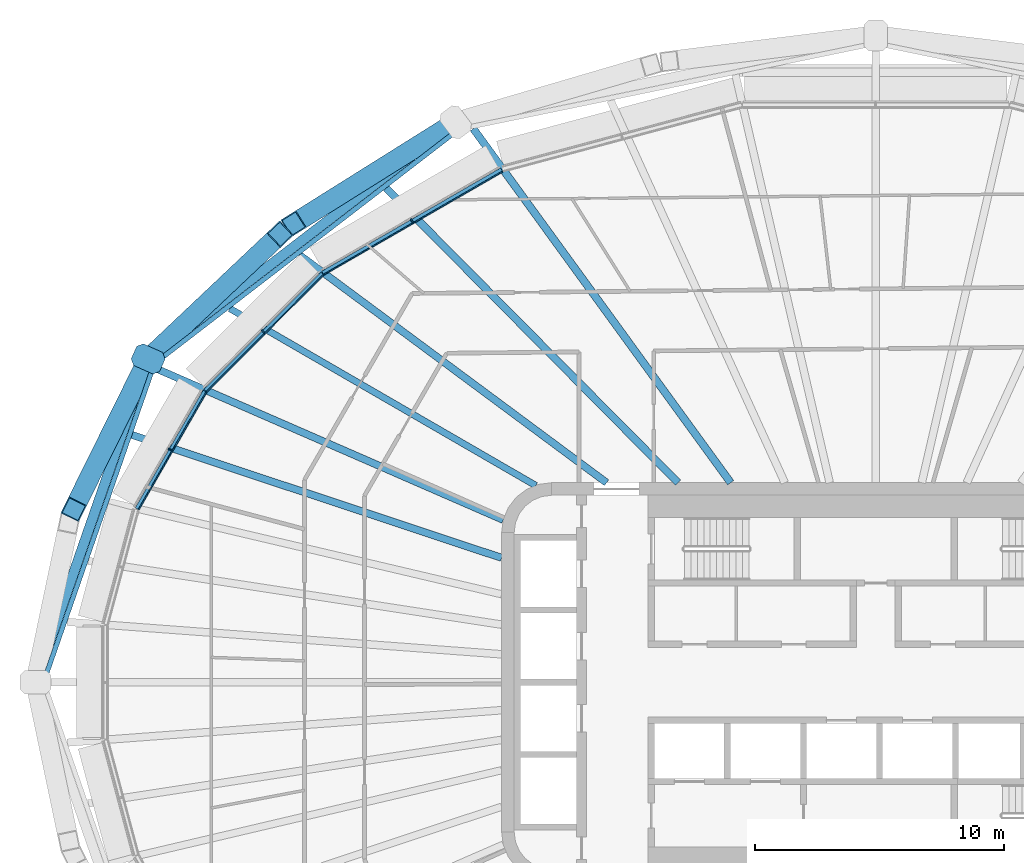
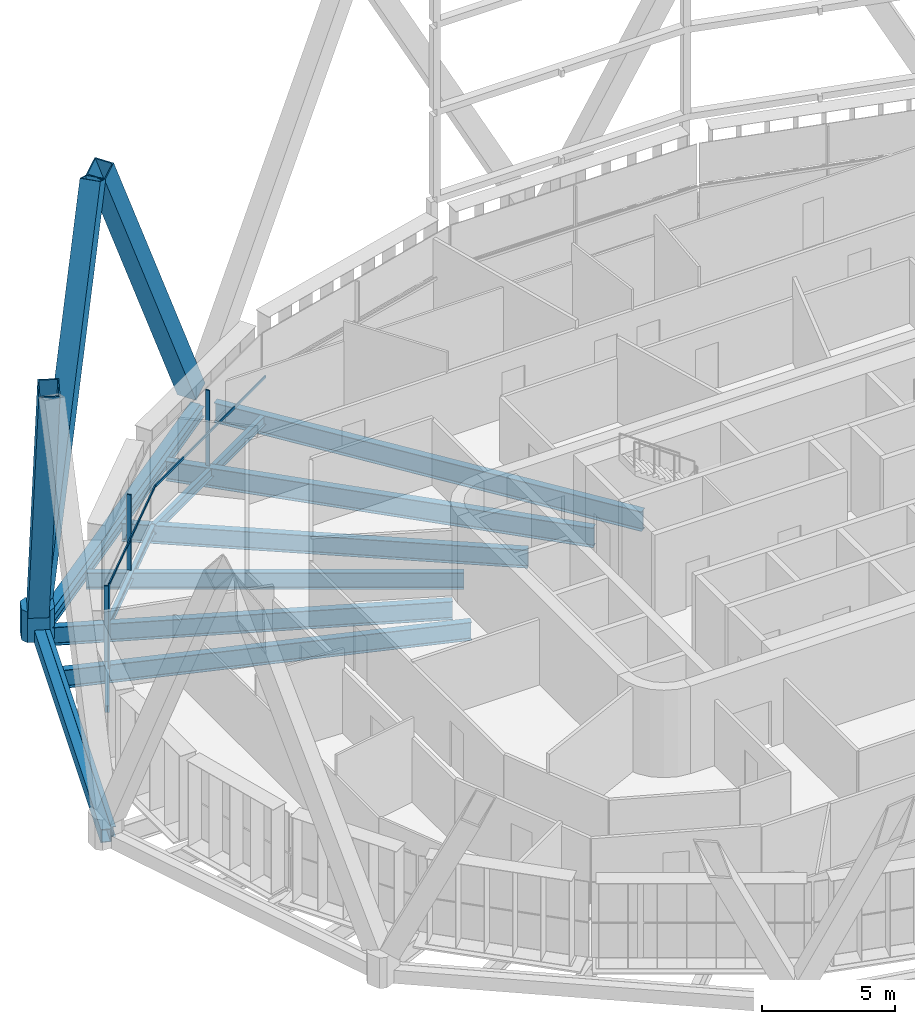
# One storey, part 5 of 25: 13 beams, 10 members, 3 elements without a shape of their own.
"""IFC4 building model written with IfcOpenShell, lengths in metres."""

from ifc_helpers import new_model, si_unit, direction, frame, origin, origin_2d, place, context, subcontext, project, spatial, polyline, rectangle, hollow_rectangle, i_section, outline, extrude, material, layer, layer_set, material_profile, profile_set, type_object, element, aggregate, save


model = new_model("IFC4")

# Units and contexts
model_context = context("Model", 3, precision=1e-05, world=origin(), true_north=direction((0.0, 1.0)))
body_context = subcontext(model_context, "Body", "Model", "MODEL_VIEW")
ifc_project = project(units=[si_unit("LENGTHUNIT", "METRE"), si_unit("AREAUNIT", "SQUARE_METRE"), si_unit("VOLUMEUNIT", "CUBIC_METRE"), si_unit("PLANEANGLEUNIT", "RADIAN"), si_unit("MASSUNIT", "GRAM", prefix="KILO")], contexts=[model_context])

# Site, building, storey
site_placement = place(None, origin())
site = spatial("IfcSite", under=ifc_project, at=site_placement, CompositionType="ELEMENT")
building_placement = place(site_placement, origin())
building = spatial("IfcBuilding", under=site, at=building_placement, Name="Sahrelin Media Tower", CompositionType="ELEMENT")
storey_placement = place(building_placement, frame((0.0, 0.0, 181.60009765625)))
storey = spatial("IfcBuildingStorey", under=building, at=storey_placement, Name="L38", CompositionType="ELEMENT", Elevation=181.60009765625)

# Members
ifc_material_1 = material(Name="Steel S460", Category="steel")
ifc_material_profile_1 = material_profile(ifc_material_1, hollow_rectangle(XDim=0.800048828125, YDim=0.800048828125, WallThickness=0.044921875, at=origin_2d()), Name="Diagrid diagonal DG5")
ifc_profile_set_1 = profile_set([ifc_material_profile_1], Name="Steel S460")
member_type_1 = type_object("IfcMemberType", Name="Diagrid diagonal DG5", PredefinedType="BRACE", material=ifc_profile_set_1)
member_1_placement = place(storey_placement, frame((-17.13818359375, 22.26513671875, 0.699951171875), z_axis=(-0.379712357752, -0.237933145117, 0.893983413619), x_axis=(0.530982186475, -0.847382981683, 0.0)))
element("IfcMember", 1, at=member_1_placement, inside=storey, type_object=member_type_1, Name="Diagrid diagonal D08-08", PredefinedType="BRACE", context=body_context, shape_type="SweptSolid", body=[
    extrude(hollow_rectangle(XDim=0.800048828125, YDim=0.800048828125, WallThickness=0.044921875, at=origin_2d()), origin(), (0.0, 0.0, 1.0), 16.331298828125),
])
member_2_placement = place(storey_placement, frame((-28.927001953125, 13.191162109375, 0.699951171875), z_axis=(0.312231776108, 0.295199304716, 0.90297767884), x_axis=(-0.687009358213, 0.726648568242, 0.0)))
element("IfcMember", 2, at=member_2_placement, inside=storey, type_object=member_type_1, Name="Diagrid diagonal D08-09", PredefinedType="BRACE", context=body_context, shape_type="SweptSolid", body=[
    extrude(hollow_rectangle(XDim=0.800048828125, YDim=0.800048828125, WallThickness=0.044921875, at=origin_2d()), origin(), (0.0, 0.0, 1.0), 16.16845703125),
])
member_3_placement = place(storey_placement, frame((-29.3056640625, 12.6865234375, 0.699951171875), z_axis=(-0.17846698744, -0.360653950686, 0.915466144785), x_axis=(0.896268464478, -0.44351193849, 0.0)))
element("IfcMember", 3, at=member_3_placement, inside=storey, type_object=member_type_1, Name="Diagrid diagonal D08-10", PredefinedType="BRACE", context=body_context, shape_type="SweptSolid", body=[
    extrude(hollow_rectangle(XDim=0.800048828125, YDim=0.800048828125, WallThickness=0.044921875, at=origin_2d()), origin(), (0.0, 0.0, 1.0), 15.947998046875),
])
ifc_material_profile_2 = material_profile(ifc_material_1, outline(polyline([(0.425048828125, -0.47509765625), (0.625, -0.27490234375), (0.625, 0.27490234375), (0.425048828125, 0.47509765625), (-0.425048828125, 0.47509765625), (-0.625, 0.27490234375), (-0.625, -0.27490234375), (-0.425048828125, -0.47509765625), (0.425048828125, -0.47509765625)])), Name="Diagrid node block 1250")
ifc_profile_set_2 = profile_set([ifc_material_profile_2], Name="Steel S460")
member_type_2 = type_object("IfcMemberType", Name="Diagrid node block 1250", PredefinedType="USERDEFINED", material=ifc_profile_set_2)
member_4_placement = place(storey_placement, frame((-29.169189453125, 12.96240234375, -0.7001953125), z_axis=(0.0, 0.0, 1.0), x_axis=(-0.913831317054, 0.40609398416, 0.0)))
element("IfcMember", 4, at=member_4_placement, inside=storey, type_object=member_type_2, Name="Diagrid node N08-05", ObjectType="NODE", PredefinedType="USERDEFINED", context=body_context, shape_type="SweptSolid", body=[
    extrude(outline(polyline([(0.425048828125, -0.47509765625), (0.625, -0.27490234375), (0.625, 0.27490234375), (0.425048828125, 0.47509765625), (-0.425048828125, 0.47509765625), (-0.625, 0.27490234375), (-0.625, -0.27490234375), (-0.425048828125, -0.47509765625), (0.425048828125, -0.47509765625)])), origin(), (0.0, 0.0, 1.0), 1.400146484375),
])

# Beams
ifc_material_profile_3 = material_profile(ifc_material_1, hollow_rectangle(XDim=0.39990234375, YDim=0.60009765625, WallThickness=0.030029296875, at=origin_2d()), Name="Diagrid ring beam RB1")
ifc_profile_set_3 = profile_set([ifc_material_profile_3], Name="Steel S460")
beam_type_1 = type_object("IfcBeamType", Name="Diagrid ring beam RB1", PredefinedType="BEAM", material=ifc_profile_set_3)
beam_1_placement = place(storey_placement, frame((-16.8408203125, 22.451416015625, -0.4501953125), z_axis=(-0.792448358215, -0.609939012986, 0.0), x_axis=(0.609939012986, -0.792448358215, 0.0)))
element("IfcBeam", 5, at=beam_1_placement, inside=storey, type_object=beam_type_1, Name="Diagrid ring beam RB08-04", PredefinedType="BEAM", context=body_context, shape_type="SweptSolid", body=[
    extrude(hollow_rectangle(XDim=0.39990234375, YDim=0.60009765625, WallThickness=0.030029296875, at=origin_2d()), origin(), (0.0, 0.0, 1.0), 15.557373046875),
])
beam_2_placement = place(storey_placement, frame((-29.169189453125, 12.96240234375, -0.4501953125), z_axis=(-0.328766909565, -0.944411096491, 0.0), x_axis=(0.944411096491, -0.328766909565, 0.0)))
element("IfcBeam", 6, at=beam_2_placement, inside=storey, type_object=beam_type_1, Name="Diagrid ring beam RB08-05", PredefinedType="BEAM", context=body_context, shape_type="SweptSolid", body=[
    extrude(hollow_rectangle(XDim=0.39990234375, YDim=0.60009765625, WallThickness=0.030029296875, at=origin_2d()), origin(), (0.0, 0.0, 1.0), 13.725341796875),
])
ifc_material_2 = material(Name="Steel S355", Category="steel")
ifc_material_profile_4 = material_profile(ifc_material_2, i_section(OverallWidth=0.1650390625, OverallDepth=0.303466796875, WebThickness=0.006103515625, FlangeThickness=0.01025390625, FilletRadius=0.0087890625, at=origin_2d()), Name="UB 305x165x40")
ifc_profile_set_4 = profile_set([ifc_material_profile_4], Name="Steel S355")
beam_type_2 = type_object("IfcBeamType", Name="Edge beam EB2", PredefinedType="BEAM", material=ifc_profile_set_4)
beam_3_placement = place(storey_placement, frame((-29.614501953125, 6.951904296875, -0.3017578125), z_axis=(0.50004975141, 0.865996677889, 0.0), x_axis=(-0.865996677889, 0.50004975141, 0.0)))
element("IfcBeam", 7, at=beam_3_placement, inside=storey, type_object=beam_type_2, Name="Edge beam L38-15", PredefinedType="BEAM", context=body_context, shape_type="SweptSolid", body=[
    extrude(i_section(OverallWidth=0.1650390625, OverallDepth=0.303466796875, WebThickness=0.006103515625, FlangeThickness=0.01025390625, FilletRadius=0.0087890625, at=origin_2d()), origin(), (0.0, 0.0, 1.0), 5.4453125),
])
ifc_material_profile_5 = material_profile(ifc_material_2, i_section(OverallWidth=0.17138671875, OverallDepth=0.35498046875, WebThickness=0.00732421875, FlangeThickness=0.011474609375, FilletRadius=0.01025390625, at=origin_2d()), Name="UB 356x171x51")
ifc_profile_set_5 = profile_set([ifc_material_profile_5], Name="Steel S355")
beam_type_3 = type_object("IfcBeamType", Name="Edge beam EB3", PredefinedType="BEAM", material=ifc_profile_set_5)
beam_4_placement = place(storey_placement, frame((-26.874267578125, 11.6904296875, -0.32763671875), z_axis=(0.707106781187, 0.707106781187, 0.0), x_axis=(-0.707106781187, 0.707106781187, 0.0)))
element("IfcBeam", 8, at=beam_4_placement, inside=storey, type_object=beam_type_3, Name="Edge beam L38-16", PredefinedType="BEAM", context=body_context, shape_type="SweptSolid", body=[
    extrude(i_section(OverallWidth=0.17138671875, OverallDepth=0.35498046875, WebThickness=0.00732421875, FlangeThickness=0.011474609375, FilletRadius=0.01025390625, at=origin_2d()), origin(), (0.0, 0.0, 1.0), 6.630615234375),
])
ifc_material_profile_6 = material_profile(ifc_material_2, i_section(OverallWidth=0.1904296875, OverallDepth=0.45703125, WebThickness=0.009033203125, FlangeThickness=0.014404296875, FilletRadius=0.01025390625, at=origin_2d()), Name="UB 457x191x74")
ifc_profile_set_6 = profile_set([ifc_material_profile_6], Name="Steel S355")
beam_type_4 = type_object("IfcBeamType", Name="Edge beam EB5", PredefinedType="BEAM", material=ifc_profile_set_6)
beam_5_placement = place(storey_placement, frame((-22.162841796875, 16.396484375, -0.378662109375), z_axis=(0.866021116422, 0.500007425856, 0.0), x_axis=(-0.500007425856, 0.866021116422, 0.0)))
element("IfcBeam", 9, at=beam_5_placement, inside=storey, type_object=beam_type_4, Name="Edge beam L38-17", PredefinedType="BEAM", context=body_context, shape_type="SweptSolid", body=[
    extrude(i_section(OverallWidth=0.1904296875, OverallDepth=0.45703125, WebThickness=0.009033203125, FlangeThickness=0.014404296875, FilletRadius=0.01025390625, at=origin_2d()), origin(), (0.0, 0.0, 1.0), 8.281005859375),
])

# Curtain wall, member
ifc_material_3 = material(Name="Champagne anodised aluminium 6063-T6", Category="aluminium")
ifc_layer = layer(ifc_material_3, 0.14990234375)
ifc_layer_set = layer_set([ifc_layer], Name="Tower ribbon curtain wall")
curtain_wall_type = type_object("IfcCurtainWallType", Name="Tower ribbon curtain wall", PredefinedType="NOTDEFINED", material=ifc_layer_set)
curtain_wall_1_placement = place(storey_placement, frame((-18.652099609375, 18.5966796875, 0.0), z_axis=(0.0, 0.0, 1.0), x_axis=(1.0, 0.0, 0.0)))
curtain_wall_1 = element("IfcCurtainWall", 10, at=curtain_wall_1_placement, inside=storey, type_object=curtain_wall_type, Name="L38:CW:L38-08", PredefinedType="NOTDEFINED")
ifc_material_profile_7 = material_profile(ifc_material_3, rectangle(XDim=0.06005859375, YDim=0.175048828125, at=origin_2d()), Name="Mullion 60x175")
ifc_profile_set_7 = profile_set([ifc_material_profile_7], Name="Champagne anodised aluminium 6063-T6")
member_type_3 = type_object("IfcMemberType", Name="Mullion 60x175 CW1B", PredefinedType="MULLION", material=ifc_profile_set_7)
member_5_placement = place(storey_placement, frame((-18.59814453125, 18.503662109375, 0.0), z_axis=(0.0, 0.0, 1.0), x_axis=(-0.866021040428, -0.500007557478, 0.0)))
member_5 = element("IfcMember", 11, at=member_5_placement, type_object=member_type_3, Name="L38:CWM:L38-08", PredefinedType="MULLION", context=body_context, shape_type="SweptSolid", body=[
    extrude(rectangle(XDim=0.06005859375, YDim=0.175048828125, at=origin_2d()), origin(), (0.0, 0.0, 1.0), 3.448486328125),
])

curtain_wall_2_placement = place(storey_placement, frame((-24.635986328125, 14.140625, 0.0), z_axis=(0.0, 0.0, 1.0), x_axis=(1.0, 0.0, 0.0)))
curtain_wall_2 = element("IfcCurtainWall", 12, at=curtain_wall_2_placement, inside=storey, type_object=curtain_wall_type, Name="L38:CW:L38-09", PredefinedType="NOTDEFINED")
member_6_placement = place(storey_placement, frame((-24.56005859375, 14.064697265625, 0.0), z_axis=(0.0, 0.0, 1.0), x_axis=(-0.707106781187, -0.707106781187, 0.0)))
member_6 = element("IfcMember", 13, at=member_6_placement, type_object=member_type_3, Name="L38:CWM:L38-09", PredefinedType="MULLION", context=body_context, shape_type="SweptSolid", body=[
    extrude(rectangle(XDim=0.06005859375, YDim=0.175048828125, at=origin_2d()), origin(), (0.0, 0.0, 1.0), 3.448486328125),
])

curtain_wall_3_placement = place(storey_placement, frame((-28.3828125, 9.384521484375, 0.0), z_axis=(0.0, 0.0, 1.0), x_axis=(1.0, 0.0, 0.0)))
curtain_wall_3 = element("IfcCurtainWall", 14, at=curtain_wall_3_placement, inside=storey, type_object=curtain_wall_type, Name="L38:CW:L38-10", PredefinedType="NOTDEFINED")
member_7_placement = place(storey_placement, frame((-28.289794921875, 9.330810546875, 0.0), z_axis=(0.0, 0.0, 1.0), x_axis=(-0.5, -0.866025403784, 0.0)))
member_7 = element("IfcMember", 15, at=member_7_placement, type_object=member_type_3, Name="L38:CWM:L38-10", PredefinedType="MULLION", context=body_context, shape_type="SweptSolid", body=[
    extrude(rectangle(XDim=0.06005859375, YDim=0.175048828125, at=origin_2d()), origin(), (0.0, 0.0, 1.0), 3.448486328125),
])

# Beams
ifc_material_profile_8 = material_profile(ifc_material_2, i_section(OverallWidth=0.291748046875, OverallDepth=0.8349609375, WebThickness=0.013916015625, FlangeThickness=0.018798828125, FilletRadius=0.017822265625, at=origin_2d()), Name="UB 838x292x176")
ifc_profile_set_8 = profile_set([ifc_material_profile_8], Name="Steel S355")
beam_type_5 = type_object("IfcBeamType", Name="Radial primary beam PB10", PredefinedType="BEAM", material=ifc_profile_set_8)
beam_6_placement = place(storey_placement, frame((-10.790283203125, 8.0, -0.567626953125), z_axis=(-0.803305203739, 0.595567586128, 0.0), x_axis=(-0.595567586128, -0.803305203739, 0.0)))
element("IfcBeam", 16, at=beam_6_placement, inside=storey, type_object=beam_type_5, Name="Radial beam L38-09", PredefinedType="BEAM", context=body_context, shape_type="SweptSolid", body=[
    extrude(i_section(OverallWidth=0.291748046875, OverallDepth=0.8349609375, WebThickness=0.013916015625, FlangeThickness=0.018798828125, FilletRadius=0.017822265625, at=origin_2d()), origin(), (0.0, 0.0, 1.0), 15.3310546875),
])
beam_7_placement = place(storey_placement, frame((-14.932861328125, 6.509765625, -0.567626953125), z_axis=(-0.916683907523, 0.399613079977, 0.0), x_axis=(-0.399613079977, -0.916683907523, 0.0)))
element("IfcBeam", 17, at=beam_7_placement, inside=storey, type_object=beam_type_5, Name="Radial beam L38-10", PredefinedType="BEAM", context=body_context, shape_type="SweptSolid", body=[
    extrude(i_section(OverallWidth=0.291748046875, OverallDepth=0.8349609375, WebThickness=0.013916015625, FlangeThickness=0.018798828125, FilletRadius=0.017822265625, at=origin_2d()), origin(), (0.0, 0.0, 1.0), 15.21484375),
])
ifc_material_profile_9 = material_profile(ifc_material_2, i_section(OverallWidth=0.30322265625, OverallDepth=0.903076171875, WebThickness=0.01513671875, FlangeThickness=0.020263671875, FilletRadius=0.01904296875, at=origin_2d()), Name="UB 914x305x201")
ifc_profile_set_9 = profile_set([ifc_material_profile_9], Name="Steel S355")
beam_type_6 = type_object("IfcBeamType", Name="Radial primary beam PB11", PredefinedType="BEAM", material=ifc_profile_set_9)
beam_8_placement = place(storey_placement, frame((-5.815673828125, 8.0, -0.6015625), z_axis=(-0.588003751715, 0.808858200162, 0.0), x_axis=(-0.808858200162, -0.588003751715, 0.0)))
element("IfcBeam", 18, at=beam_8_placement, inside=storey, type_object=beam_type_6, Name="Radial beam L38-08", PredefinedType="BEAM", context=body_context, shape_type="SweptSolid", body=[
    extrude(i_section(OverallWidth=0.30322265625, OverallDepth=0.903076171875, WebThickness=0.01513671875, FlangeThickness=0.020263671875, FilletRadius=0.01904296875, at=origin_2d()), origin(), (0.0, 0.0, 1.0), 17.547607421875),
])
ifc_material_profile_10 = material_profile(ifc_material_2, i_section(OverallWidth=0.291748046875, OverallDepth=0.8349609375, WebThickness=0.013916015625, FlangeThickness=0.018798828125, FilletRadius=0.017822265625, at=origin_2d()), Name="UB 838x292x176")
ifc_profile_set_10 = profile_set([ifc_material_profile_10], Name="Steel S355")
beam_type_7 = type_object("IfcBeamType", Name="Radial secondary beam SB10", PredefinedType="BEAM", material=ifc_profile_set_10)
beam_9_placement = place(storey_placement, frame((-15.0, 4.987548828125, -0.567626953125), z_axis=(-0.948920764558, 0.315514472869, 0.0), x_axis=(-0.315514472869, -0.948920764558, 0.0)))
element("IfcBeam", 19, at=beam_9_placement, inside=storey, type_object=beam_type_7, Name="Secondary beam L38-10", PredefinedType="BEAM", context=body_context, shape_type="SweptSolid", body=[
    extrude(i_section(OverallWidth=0.291748046875, OverallDepth=0.8349609375, WebThickness=0.013916015625, FlangeThickness=0.018798828125, FilletRadius=0.017822265625, at=origin_2d()), origin(), (0.0, 0.0, 1.0), 15.609619140625),
])
ifc_material_profile_11 = material_profile(ifc_material_2, i_section(OverallWidth=0.30322265625, OverallDepth=0.903076171875, WebThickness=0.01513671875, FlangeThickness=0.020263671875, FilletRadius=0.01904296875, at=origin_2d()), Name="UB 914x305x201")
ifc_profile_set_11 = profile_set([ifc_material_profile_11], Name="Steel S355")
beam_type_8 = type_object("IfcBeamType", Name="Radial secondary beam SB11", PredefinedType="BEAM", material=ifc_profile_set_11)
beam_10_placement = place(storey_placement, frame((-7.92529296875, 8.0, -0.6015625), z_axis=(-0.703779898359, 0.710418084416, 0.0), x_axis=(-0.710418084416, -0.703779898359, 0.0)))
element("IfcBeam", 20, at=beam_10_placement, inside=storey, type_object=beam_type_8, Name="Secondary beam L38-08", PredefinedType="BEAM", context=body_context, shape_type="SweptSolid", body=[
    extrude(i_section(OverallWidth=0.30322265625, OverallDepth=0.903076171875, WebThickness=0.01513671875, FlangeThickness=0.020263671875, FilletRadius=0.01904296875, at=origin_2d()), origin(), (0.0, 0.0, 1.0), 16.623779296875),
])
ifc_material_profile_12 = material_profile(ifc_material_2, i_section(OverallWidth=0.26513671875, OverallDepth=0.75390625, WebThickness=0.0126953125, FlangeThickness=0.017578125, FilletRadius=0.0166015625, at=origin_2d()), Name="UB 762x267x147")
ifc_profile_set_12 = profile_set([ifc_material_profile_12], Name="Steel S355")
beam_type_9 = type_object("IfcBeamType", Name="Radial secondary beam SB9", PredefinedType="BEAM", material=ifc_profile_set_12)
beam_11_placement = place(storey_placement, frame((-13.62890625, 7.8857421875, -0.527099609375), z_axis=(-0.865557960624, 0.500808762704, 0.0), x_axis=(-0.500808762704, -0.865557960624, 0.0)))
element("IfcBeam", 21, at=beam_11_placement, inside=storey, type_object=beam_type_9, Name="Secondary beam L38-09", PredefinedType="BEAM", context=body_context, shape_type="SweptSolid", body=[
    extrude(i_section(OverallWidth=0.26513671875, OverallDepth=0.75390625, WebThickness=0.0126953125, FlangeThickness=0.017578125, FilletRadius=0.0166015625, at=origin_2d()), origin(), (0.0, 0.0, 1.0), 14.171875),
])
ifc_material_profile_13 = material_profile(ifc_material_2, i_section(OverallWidth=0.1904296875, OverallDepth=0.45703125, WebThickness=0.009033203125, FlangeThickness=0.014404296875, FilletRadius=0.01025390625, at=origin_2d()), Name="UB 457x191x74")
ifc_profile_set_13 = profile_set([ifc_material_profile_13], Name="Steel S355")
beam_type_10 = type_object("IfcBeamType", Name="Tie chord TC5", PredefinedType="BEAM", material=ifc_profile_set_13)
beam_12_placement = place(storey_placement, frame((-33.36376953125, 0.0, -0.378662109375), z_axis=(0.328773941045, 0.944408648674, 0.0), x_axis=(-0.944408648674, 0.328773941045, 0.0)))
element("IfcBeam", 22, at=beam_12_placement, inside=storey, type_object=beam_type_10, Name="Tie chord L38-07", PredefinedType="BEAM", context=body_context, shape_type="SweptSolid", body=[
    extrude(i_section(OverallWidth=0.1904296875, OverallDepth=0.45703125, WebThickness=0.009033203125, FlangeThickness=0.014404296875, FilletRadius=0.01025390625, at=origin_2d()), origin(), (0.0, 0.0, 1.0), 13.53125),
])
beam_13_placement = place(storey_placement, frame((-28.9150390625, 12.779052734375, -0.378662109375), z_axis=(0.792439471155, 0.609950559108, 0.0), x_axis=(-0.609950559108, 0.792439471155, 0.0)))
element("IfcBeam", 23, at=beam_13_placement, inside=storey, type_object=beam_type_10, Name="Tie chord L38-08", PredefinedType="BEAM", context=body_context, shape_type="SweptSolid", body=[
    extrude(i_section(OverallWidth=0.1904296875, OverallDepth=0.45703125, WebThickness=0.009033203125, FlangeThickness=0.014404296875, FilletRadius=0.01025390625, at=origin_2d()), origin(), (0.0, 0.0, 1.0), 15.3984375),
])

# Member
ifc_material_profile_14 = material_profile(ifc_material_3, rectangle(XDim=0.050048828125, YDim=0.110107421875, at=origin_2d()), Name="Transom 50x110")
ifc_profile_set_14 = profile_set([ifc_material_profile_14], Name="Champagne anodised aluminium 6063-T6")
member_type_4 = type_object("IfcMemberType", Name="Transom 50x110 CW1B", PredefinedType="USERDEFINED", material=ifc_profile_set_14)
member_8_placement = place(storey_placement, frame((-14.9697265625, 20.468505859375, 1.599853515625), z_axis=(-0.866032814021, -0.499987164874, 0.0), x_axis=(0.499987164874, -0.866032814021, 0.0)))
member_8 = element("IfcMember", 24, at=member_8_placement, type_object=member_type_4, Name="L38:CWT:L38-08", ObjectType="TRANSOM", PredefinedType="USERDEFINED", context=body_context, shape_type="SweptSolid", body=[
    extrude(rectangle(XDim=0.050048828125, YDim=0.110107421875, at=origin_2d()), origin(), (0.0, 0.0, 1.0), 8.249755859375),
])

aggregate(curtain_wall_1, [member_5, member_8])

member_9_placement = place(storey_placement, frame((-22.147216796875, 16.318359375, 1.599853515625), z_axis=(-0.707125278519, -0.70708828337, 0.0), x_axis=(0.70708828337, -0.707125278519, 0.0)))
member_9 = element("IfcMember", 25, at=member_9_placement, type_object=member_type_4, Name="L38:CWT:L38-09", ObjectType="TRANSOM", PredefinedType="USERDEFINED", context=body_context, shape_type="SweptSolid", body=[
    extrude(rectangle(XDim=0.050048828125, YDim=0.110107421875, at=origin_2d()), origin(), (0.0, 0.0, 1.0), 6.599365234375),
])

aggregate(curtain_wall_2, [member_6, member_9])

member_10_placement = place(storey_placement, frame((-26.839111328125, 11.618896484375, 1.599853515625), z_axis=(-0.499985301743, -0.866033889661, 0.0), x_axis=(0.866033889661, -0.499985301743, 0.0)))
member_10 = element("IfcMember", 26, at=member_10_placement, type_object=member_type_4, Name="L38:CWT:L38-10", ObjectType="TRANSOM", PredefinedType="USERDEFINED", context=body_context, shape_type="SweptSolid", body=[
    extrude(rectangle(XDim=0.050048828125, YDim=0.110107421875, at=origin_2d()), origin(), (0.0, 0.0, 1.0), 5.413818359375),
])

aggregate(curtain_wall_3, [member_7, member_10])

save(model, "model.ifc")
